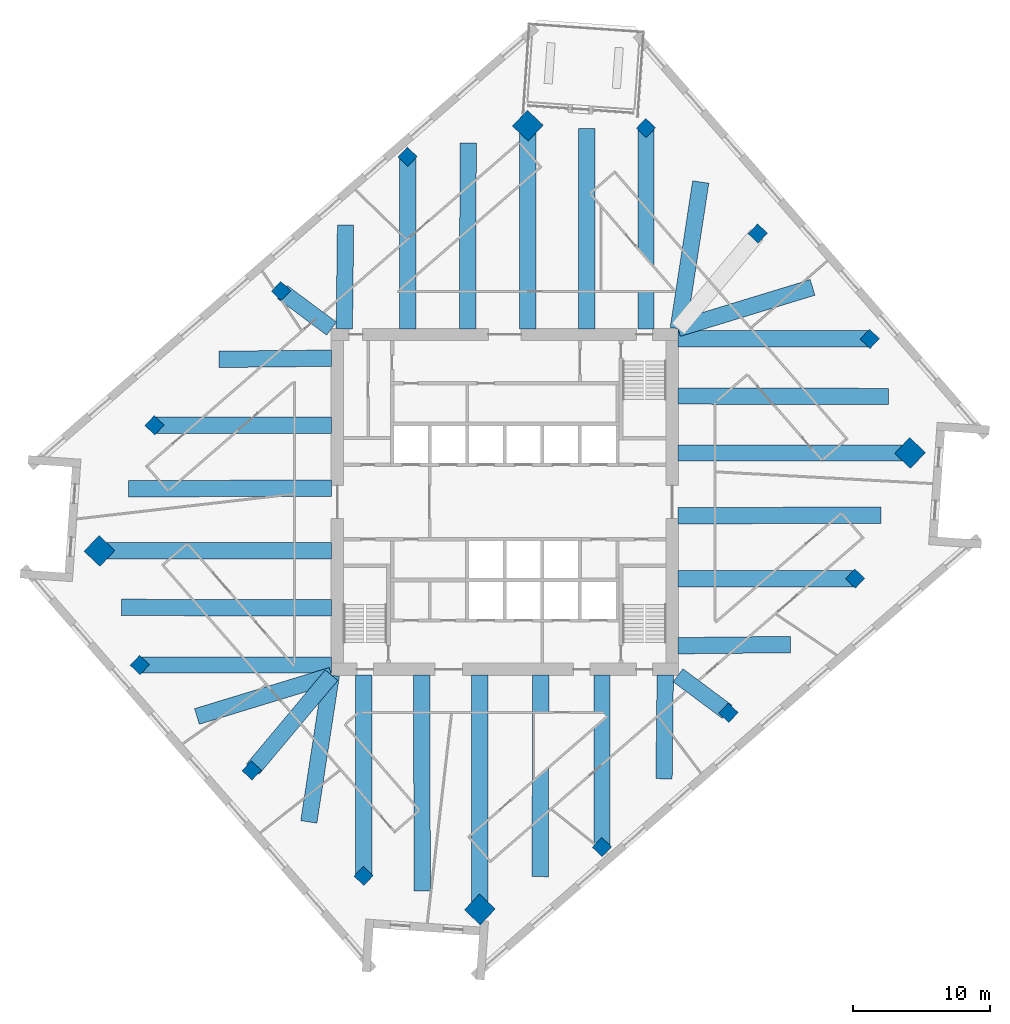
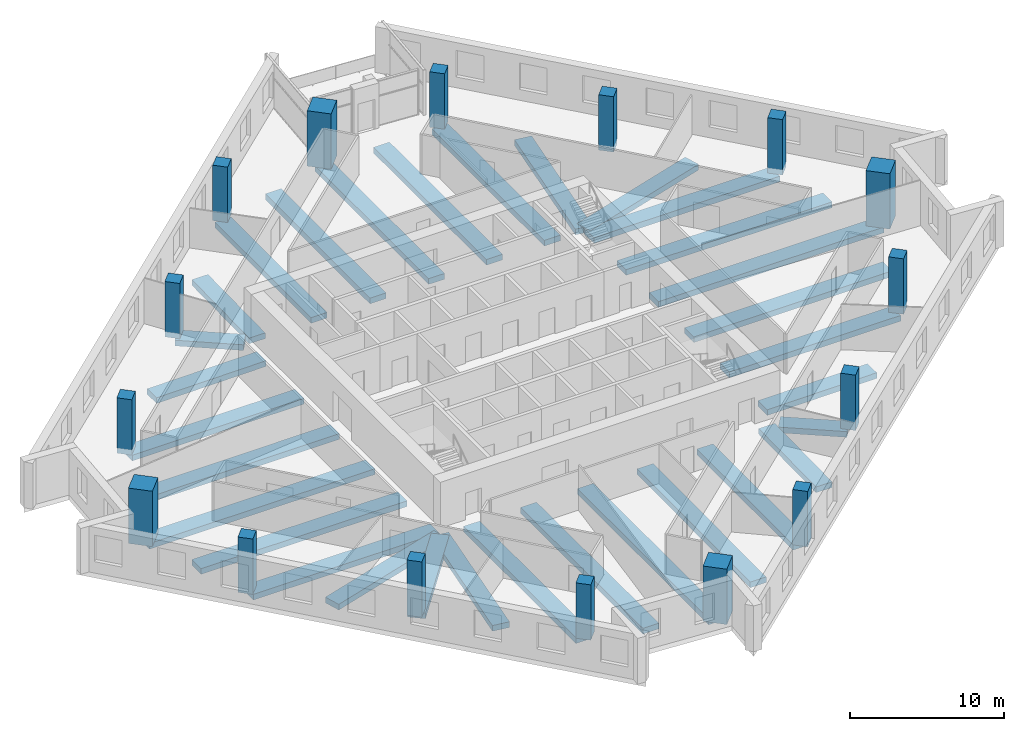
# One storey, part 1 of 11: 31 beams, 16 columns.
"""IFC4 building model written with IfcOpenShell, lengths in metres."""

from ifc_helpers import new_model, si_unit, direction, frame, origin, origin_2d, place, context, subcontext, project, spatial, rectangle, extrude, material, material_profile, profile_set, type_object, element, save


model = new_model("IFC4")

# Units and contexts
model_context = context("Model", 3, precision=1e-05, world=origin(), true_north=direction((0.0, 1.0)))
body_context = subcontext(model_context, "Body", "Model", "MODEL_VIEW")
ifc_project = project(units=[si_unit("LENGTHUNIT", "METRE"), si_unit("AREAUNIT", "SQUARE_METRE"), si_unit("VOLUMEUNIT", "CUBIC_METRE"), si_unit("PLANEANGLEUNIT", "RADIAN"), si_unit("MASSUNIT", "GRAM", prefix="KILO")], contexts=[model_context])

# Site, building, storey
site_placement = place(None, origin())
site = spatial("IfcSite", under=ifc_project, at=site_placement, CompositionType="ELEMENT")
building_placement = place(site_placement, origin())
building = spatial("IfcBuilding", under=site, at=building_placement, Name="Dilmun Exchange Tower", CompositionType="ELEMENT")
storey_placement = place(building_placement, frame((0.0, 0.0, 189.300048828125)))
storey = spatial("IfcBuildingStorey", under=building, at=storey_placement, Name="L44", CompositionType="ELEMENT", Elevation=189.300048828125)

# Columns
ifc_material_1 = material(Name="Concrete C60/75", Category="concrete")
ifc_material_profile_1 = material_profile(ifc_material_1, rectangle(XDim=1.60009765625, YDim=1.60009765625, at=origin_2d()), Name="1600 x 1600")
ifc_profile_set_1 = profile_set([ifc_material_profile_1], Name="Concrete C60/75")
column_type_1 = type_object("IfcColumnType", Name="RC mega column 1600 x 1600 C60/75", PredefinedType="COLUMN", material=ifc_profile_set_1)
for number, where, z_axis, x_axis, name in (
    (1, (1.68505859375, 27.5380859375, -0.380126953125), (0.0, 0.0, 1.0), (0.685916152371, 0.727680583715, 0.0), "Mega column M1"),
    (2, (-29.658935546875, -3.58203125, -0.380126953125), (0.0, 0.0, 1.0), (0.685916152371, 0.727680583715, 0.0), "Mega column M2"),
    (3, (-1.824951171875, -29.818115234375, -0.380126953125), (0.0, 0.0, 1.0), (0.685916152371, 0.727680583715, 0.0), "Mega column M3"),
    (4, (29.658935546875, 3.58203125, -0.380126953125), (0.0, 0.0, 1.0), (0.685916152371, 0.727680583715, 0.0), "Mega column M4"),
):
    element("IfcColumn", number, at=place(storey_placement, frame(where, z_axis=z_axis, x_axis=x_axis)), inside=storey, type_object=column_type_1, Name=name, PredefinedType="COLUMN", context=body_context, shape_type="SweptSolid", body=[
        extrude(rectangle(XDim=1.60009765625, YDim=1.60009765625, at=origin_2d()), origin(), (0.0, 0.0, 1.0), 4.380126953125),
    ])
ifc_material_profile_2 = material_profile(ifc_material_1, rectangle(XDim=1.0, YDim=1.0, at=origin_2d()), Name="1000 x 1000")
ifc_profile_set_2 = profile_set([ifc_material_profile_2], Name="Concrete C60/75")
column_type_2 = type_object("IfcColumnType", Name="RC ring column 1000 x 1000 C60/75", PredefinedType="COLUMN", material=ifc_profile_set_2)
for number, where, z_axis, x_axis, name in (
    (5, (-7.113037109375, 25.257080078125, -0.380126953125), (0.0, 0.0, 1.0), (0.685916152371, 0.727680583715, 0.0), "Ring column R01"),
    (6, (-16.373046875, 15.43310546875, -0.380126953125), (0.0, 0.0, 1.0), (0.685916152371, 0.727680583715, 0.0), "Ring column R02"),
    (7, (-25.633056640625, 5.60888671875, -0.380126953125), (0.0, 0.0, 1.0), (0.685916152371, 0.727680583715, 0.0), "Ring column R03"),
    (8, (-26.7060546875, -11.930908203125, -0.380126953125), (0.0, 0.0, 1.0), (0.685916152371, 0.727680583715, 0.0), "Ring column R04"),
    (9, (-18.52001953125, -19.64697265625, -0.380126953125), (0.0, 0.0, 1.0), (0.685916152371, 0.727680583715, 0.0), "Ring column R05"),
    (10, (-10.3330078125, -27.364013671875, -0.380126953125), (0.0, 0.0, 1.0), (0.685916152371, 0.727680583715, 0.0), "Ring column R06"),
    (11, (7.113037109375, -25.257080078125, -0.380126953125), (0.0, 0.0, 1.0), (0.685916152371, 0.727680583715, 0.0), "Ring column R07"),
    (12, (16.373046875, -15.43310546875, -0.380126953125), (0.0, 0.0, 1.0), (0.685916152371, 0.727680583715, 0.0), "Ring column R08"),
    (13, (25.633056640625, -5.60888671875, -0.380126953125), (0.0, 0.0, 1.0), (0.685916152371, 0.727680583715, 0.0), "Ring column R09"),
    (14, (26.7060546875, 11.930908203125, -0.380126953125), (0.0, 0.0, 1.0), (0.685916152371, 0.727680583715, 0.0), "Ring column R10"),
    (15, (18.52001953125, 19.64697265625, -0.380126953125), (0.0, 0.0, 1.0), (0.685916152371, 0.727680583715, 0.0), "Ring column R11"),
    (16, (10.3330078125, 27.364013671875, -0.380126953125), (0.0, 0.0, 1.0), (0.685916152371, 0.727680583715, 0.0), "Ring column R12"),
):
    element("IfcColumn", number, at=place(storey_placement, frame(where, z_axis=z_axis, x_axis=x_axis)), inside=storey, type_object=column_type_2, Name=name, PredefinedType="COLUMN", context=body_context, shape_type="SweptSolid", body=[
        extrude(rectangle(XDim=1.0, YDim=1.0, at=origin_2d()), origin(), (0.0, 0.0, 1.0), 4.380126953125),
    ])

# Beams
ifc_material_2 = material(Name="Concrete C40/50", Category="concrete")
ifc_material_profile_3 = material_profile(ifc_material_2, rectangle(XDim=1.199951171875, YDim=0.449951171875, at=origin_2d()), Name="1200 x 450")
ifc_profile_set_3 = profile_set([ifc_material_profile_3], Name="Concrete C40/50")
beam_type = type_object("IfcBeamType", Name="RC band beam 1200 x 450 C40/50", PredefinedType="BEAM", material=ifc_profile_set_3)
beam_1_placement = place(storey_placement, frame((1.68505859375, 27.41357421875, -0.705078125), z_axis=(0.0, -1.0, 0.0), x_axis=(1.0, 0.0, 0.0)))
element("IfcBeam", 17, at=beam_1_placement, inside=storey, type_object=beam_type, Name="Band beam 1", PredefinedType="BEAM", context=body_context, shape_type="SweptSolid", body=[
    extrude(rectangle(XDim=1.199951171875, YDim=0.449951171875, at=origin_2d()), origin(), (0.0, 0.0, 1.0), 14.740478515625),
])
beam_2_placement = place(storey_placement, frame((-7.113037109375, 25.132568359375, -0.705078125), z_axis=(0.0, -1.0, 0.0), x_axis=(1.0, 0.0, 0.0)))
element("IfcBeam", 18, at=beam_2_placement, inside=storey, type_object=beam_type, Name="Band beam 2", PredefinedType="BEAM", context=body_context, shape_type="SweptSolid", body=[
    extrude(rectangle(XDim=1.199951171875, YDim=0.449951171875, at=origin_2d()), origin(), (0.0, 0.0, 1.0), 12.45947265625),
])
beam_3_placement = place(storey_placement, frame((-16.273193359375, 15.358642578125, -0.705078125), z_axis=(0.802289049066, -0.5969357434, 0.0), x_axis=(0.5969357434, 0.802289049066, 0.0)))
element("IfcBeam", 19, at=beam_3_placement, inside=storey, type_object=beam_type, Name="Band beam 3", PredefinedType="BEAM", context=body_context, shape_type="SweptSolid", body=[
    extrude(rectangle(XDim=1.199951171875, YDim=0.449951171875, at=origin_2d()), origin(), (0.0, 0.0, 1.0), 4.48095703125),
])
beam_4_placement = place(storey_placement, frame((-25.508544921875, 5.60888671875, -0.705078125), z_axis=(1.0, 0.0, 0.0), x_axis=(0.0, 1.0, 0.0)))
element("IfcBeam", 20, at=beam_4_placement, inside=storey, type_object=beam_type, Name="Band beam 4", PredefinedType="BEAM", context=body_context, shape_type="SweptSolid", body=[
    extrude(rectangle(XDim=1.199951171875, YDim=0.449951171875, at=origin_2d()), origin(), (0.0, 0.0, 1.0), 12.83544921875),
])
beam_5_placement = place(storey_placement, frame((-29.534423828125, -3.58203125, -0.705078125), z_axis=(1.0, 0.0, 0.0), x_axis=(0.0, 1.0, 0.0)))
element("IfcBeam", 21, at=beam_5_placement, inside=storey, type_object=beam_type, Name="Band beam 5", PredefinedType="BEAM", context=body_context, shape_type="SweptSolid", body=[
    extrude(rectangle(XDim=1.199951171875, YDim=0.449951171875, at=origin_2d()), origin(), (0.0, 0.0, 1.0), 16.861328125),
])
beam_6_placement = place(storey_placement, frame((-26.58154296875, -11.930908203125, -0.705078125), z_axis=(1.0, 0.0, 0.0), x_axis=(0.0, 1.0, 0.0)))
element("IfcBeam", 22, at=beam_6_placement, inside=storey, type_object=beam_type, Name="Band beam 6", PredefinedType="BEAM", context=body_context, shape_type="SweptSolid", body=[
    extrude(rectangle(XDim=1.199951171875, YDim=0.449951171875, at=origin_2d()), origin(), (0.0, 0.0, 1.0), 13.908447265625),
])
beam_7_placement = place(storey_placement, frame((-18.43994140625, -19.551513671875, -0.705078125), z_axis=(0.642183104626, 0.766551276911, 0.0), x_axis=(-0.766551276911, 0.642183104626, 0.0)))
element("IfcBeam", 23, at=beam_7_placement, inside=storey, type_object=beam_type, Name="Band beam 7", PredefinedType="BEAM", context=body_context, shape_type="SweptSolid", body=[
    extrude(rectangle(XDim=1.199951171875, YDim=0.449951171875, at=origin_2d()), origin(), (0.0, 0.0, 1.0), 8.96533203125),
])
beam_8_placement = place(storey_placement, frame((-10.3330078125, -27.239501953125, -0.705078125), z_axis=(0.0, 1.0, 0.0), x_axis=(-1.0, 0.0, 0.0)))
element("IfcBeam", 24, at=beam_8_placement, inside=storey, type_object=beam_type, Name="Band beam 8", PredefinedType="BEAM", context=body_context, shape_type="SweptSolid", body=[
    extrude(rectangle(XDim=1.199951171875, YDim=0.449951171875, at=origin_2d()), origin(), (0.0, 0.0, 1.0), 14.56640625),
])
beam_9_placement = place(storey_placement, frame((-1.824951171875, -29.693603515625, -0.705078125), z_axis=(0.0, 1.0, 0.0), x_axis=(-1.0, 0.0, 0.0)))
element("IfcBeam", 25, at=beam_9_placement, inside=storey, type_object=beam_type, Name="Band beam 9", PredefinedType="BEAM", context=body_context, shape_type="SweptSolid", body=[
    extrude(rectangle(XDim=1.199951171875, YDim=0.449951171875, at=origin_2d()), origin(), (0.0, 0.0, 1.0), 17.0205078125),
])
beam_10_placement = place(storey_placement, frame((7.113037109375, -25.132568359375, -0.705078125), z_axis=(0.0, 1.0, 0.0), x_axis=(-1.0, 0.0, 0.0)))
element("IfcBeam", 26, at=beam_10_placement, inside=storey, type_object=beam_type, Name="Band beam 10", PredefinedType="BEAM", context=body_context, shape_type="SweptSolid", body=[
    extrude(rectangle(XDim=1.199951171875, YDim=0.449951171875, at=origin_2d()), origin(), (0.0, 0.0, 1.0), 12.45947265625),
])
beam_11_placement = place(storey_placement, frame((16.273193359375, -15.358642578125, -0.705078125), z_axis=(-0.802289049066, 0.5969357434, 0.0), x_axis=(-0.5969357434, -0.802289049066, 0.0)))
element("IfcBeam", 27, at=beam_11_placement, inside=storey, type_object=beam_type, Name="Band beam 11", PredefinedType="BEAM", context=body_context, shape_type="SweptSolid", body=[
    extrude(rectangle(XDim=1.199951171875, YDim=0.449951171875, at=origin_2d()), origin(), (0.0, 0.0, 1.0), 4.48095703125),
])
beam_12_placement = place(storey_placement, frame((25.508544921875, -5.60888671875, -0.705078125), z_axis=(-1.0, 0.0, 0.0), x_axis=(0.0, -1.0, 0.0)))
element("IfcBeam", 28, at=beam_12_placement, inside=storey, type_object=beam_type, Name="Band beam 12", PredefinedType="BEAM", context=body_context, shape_type="SweptSolid", body=[
    extrude(rectangle(XDim=1.199951171875, YDim=0.449951171875, at=origin_2d()), origin(), (0.0, 0.0, 1.0), 12.83544921875),
])
beam_13_placement = place(storey_placement, frame((29.534423828125, 3.58203125, -0.705078125), z_axis=(-1.0, 0.0, 0.0), x_axis=(0.0, -1.0, 0.0)))
element("IfcBeam", 29, at=beam_13_placement, inside=storey, type_object=beam_type, Name="Band beam 13", PredefinedType="BEAM", context=body_context, shape_type="SweptSolid", body=[
    extrude(rectangle(XDim=1.199951171875, YDim=0.449951171875, at=origin_2d()), origin(), (0.0, 0.0, 1.0), 16.861328125),
])
beam_14_placement = place(storey_placement, frame((26.58154296875, 11.930908203125, -0.705078125), z_axis=(-1.0, 0.0, 0.0), x_axis=(0.0, -1.0, 0.0)))
element("IfcBeam", 30, at=beam_14_placement, inside=storey, type_object=beam_type, Name="Band beam 14", PredefinedType="BEAM", context=body_context, shape_type="SweptSolid", body=[
    extrude(rectangle(XDim=1.199951171875, YDim=0.449951171875, at=origin_2d()), origin(), (0.0, 0.0, 1.0), 13.908447265625),
])
beam_15_placement = place(storey_placement, frame((10.3330078125, 27.239501953125, -0.705078125), z_axis=(0.0, -1.0, 0.0), x_axis=(1.0, 0.0, 0.0)))
element("IfcBeam", 31, at=beam_15_placement, inside=storey, type_object=beam_type, Name="Band beam 16", PredefinedType="BEAM", context=body_context, shape_type="SweptSolid", body=[
    extrude(rectangle(XDim=1.199951171875, YDim=0.449951171875, at=origin_2d()), origin(), (0.0, 0.0, 1.0), 14.56640625),
])
beam_16_placement = place(storey_placement, frame((-2.682861328125, 26.277099609375, -0.705078125), z_axis=(-0.002297111774, -0.999997361635, 0.0), x_axis=(0.999997361635, -0.002297111774, 0.0)))
element("IfcBeam", 32, at=beam_16_placement, inside=storey, type_object=beam_type, Name="Band beam 17", PredefinedType="BEAM", context=body_context, shape_type="SweptSolid", body=[
    extrude(rectangle(XDim=1.199951171875, YDim=0.449951171875, at=origin_2d()), origin(), (0.0, 0.0, 1.0), 13.60400390625),
])
beam_17_placement = place(storey_placement, frame((-11.65234375, 20.259521484375, -0.705078125), z_axis=(-0.011938390958, -0.999928734871, 0.0), x_axis=(0.999928734871, -0.011938390958, 0.0)))
element("IfcBeam", 33, at=beam_17_placement, inside=storey, type_object=beam_type, Name="Band beam 18", PredefinedType="BEAM", context=body_context, shape_type="SweptSolid", body=[
    extrude(rectangle(XDim=1.199951171875, YDim=0.449951171875, at=origin_2d()), origin(), (0.0, 0.0, 1.0), 7.5869140625),
])
beam_18_placement = place(storey_placement, frame((-20.912353515625, 10.435546875, -0.705078125), z_axis=(0.999946225673, 0.010370427255, 0.0), x_axis=(-0.010370427255, 0.999946225673, 0.0)))
element("IfcBeam", 34, at=beam_18_placement, inside=storey, type_object=beam_type, Name="Band beam 19", PredefinedType="BEAM", context=body_context, shape_type="SweptSolid", body=[
    extrude(rectangle(XDim=1.199951171875, YDim=0.449951171875, at=origin_2d()), origin(), (0.0, 0.0, 1.0), 8.23974609375),
])
beam_19_placement = place(storey_placement, frame((-27.531982421875, 0.96337890625, -0.705078125), z_axis=(0.999994327407, 0.003368256665, 0.0), x_axis=(-0.003368256665, 0.999994327407, 0.0)))
element("IfcBeam", 35, at=beam_19_placement, inside=storey, type_object=beam_type, Name="Band beam 20", PredefinedType="BEAM", context=body_context, shape_type="SweptSolid", body=[
    extrude(rectangle(XDim=1.199951171875, YDim=0.449951171875, at=origin_2d()), origin(), (0.0, 0.0, 1.0), 14.85888671875),
])
beam_20_placement = place(storey_placement, frame((-28.065185546875, -7.715087890625, -0.705078125), z_axis=(0.999996364615, -0.002696434064, 0.0), x_axis=(0.002696434064, 0.999996364615, 0.0)))
element("IfcBeam", 36, at=beam_20_placement, inside=storey, type_object=beam_type, Name="Band beam 21", PredefinedType="BEAM", context=body_context, shape_type="SweptSolid", body=[
    extrude(rectangle(XDim=1.199951171875, YDim=0.449951171875, at=origin_2d()), origin(), (0.0, 0.0, 1.0), 15.39208984375),
])
beam_21_placement = place(storey_placement, frame((-22.527587890625, -15.698486328125, -0.705078125), z_axis=(0.956463539482, 0.291851841937, 0.0), x_axis=(-0.291851841937, 0.956463539482, 0.0)))
element("IfcBeam", 37, at=beam_21_placement, inside=storey, type_object=beam_type, Name="Band beam 22", PredefinedType="BEAM", context=body_context, shape_type="SweptSolid", body=[
    extrude(rectangle(XDim=1.199951171875, YDim=0.449951171875, at=origin_2d()), origin(), (0.0, 0.0, 1.0), 10.3017578125),
])
beam_22_placement = place(storey_placement, frame((-14.341064453125, -23.414794921875, -0.705078125), z_axis=(0.151403795578, 0.988471997926, 0.0), x_axis=(-0.988471997926, 0.151403795578, 0.0)))
element("IfcBeam", 38, at=beam_22_placement, inside=storey, type_object=beam_type, Name="Band beam 23", PredefinedType="BEAM", context=body_context, shape_type="SweptSolid", body=[
    extrude(rectangle(XDim=1.199951171875, YDim=0.449951171875, at=origin_2d()), origin(), (0.0, 0.0, 1.0), 10.86669921875),
])
beam_23_placement = place(storey_placement, frame((-6.04443359375, -28.471435546875, -0.705078125), z_axis=(-0.002194400527, 0.9999975923, 0.0), x_axis=(-0.9999975923, -0.002194400527, 0.0)))
element("IfcBeam", 39, at=beam_23_placement, inside=storey, type_object=beam_type, Name="Band beam 24", PredefinedType="BEAM", context=body_context, shape_type="SweptSolid", body=[
    extrude(rectangle(XDim=1.199951171875, YDim=0.449951171875, at=origin_2d()), origin(), (0.0, 0.0, 1.0), 15.79833984375),
])
beam_24_placement = place(storey_placement, frame((2.58740234375, -27.426513671875, -0.705078125), z_axis=(0.003839124446, 0.999992630535, 0.0), x_axis=(-0.999992630535, 0.003839124446, 0.0)))
element("IfcBeam", 40, at=beam_24_placement, inside=storey, type_object=beam_type, Name="Band beam 25", PredefinedType="BEAM", context=body_context, shape_type="SweptSolid", body=[
    extrude(rectangle(XDim=1.199951171875, YDim=0.449951171875, at=origin_2d()), origin(), (0.0, 0.0, 1.0), 14.75341796875),
])
beam_25_placement = place(storey_placement, frame((11.65234375, -20.259521484375, -0.705078125), z_axis=(0.011938390958, 0.999928734871, 0.0), x_axis=(-0.999928734871, 0.011938390958, 0.0)))
element("IfcBeam", 41, at=beam_25_placement, inside=storey, type_object=beam_type, Name="Band beam 26", PredefinedType="BEAM", context=body_context, shape_type="SweptSolid", body=[
    extrude(rectangle(XDim=1.199951171875, YDim=0.449951171875, at=origin_2d()), origin(), (0.0, 0.0, 1.0), 7.5869140625),
])
beam_26_placement = place(storey_placement, frame((20.912353515625, -10.435546875, -0.705078125), z_axis=(-0.999946225673, -0.010370427255, 0.0), x_axis=(0.010370427255, -0.999946225673, 0.0)))
element("IfcBeam", 42, at=beam_26_placement, inside=storey, type_object=beam_type, Name="Band beam 27", PredefinedType="BEAM", context=body_context, shape_type="SweptSolid", body=[
    extrude(rectangle(XDim=1.199951171875, YDim=0.449951171875, at=origin_2d()), origin(), (0.0, 0.0, 1.0), 8.23974609375),
])
beam_27_placement = place(storey_placement, frame((27.531982421875, -0.96337890625, -0.705078125), z_axis=(-0.999994327407, -0.003368256665, 0.0), x_axis=(0.003368256665, -0.999994327407, 0.0)))
element("IfcBeam", 43, at=beam_27_placement, inside=storey, type_object=beam_type, Name="Band beam 28", PredefinedType="BEAM", context=body_context, shape_type="SweptSolid", body=[
    extrude(rectangle(XDim=1.199951171875, YDim=0.449951171875, at=origin_2d()), origin(), (0.0, 0.0, 1.0), 14.85888671875),
])
beam_28_placement = place(storey_placement, frame((28.065185546875, 7.715087890625, -0.705078125), z_axis=(-0.999996364615, 0.002696434064, 0.0), x_axis=(-0.002696434064, -0.999996364615, 0.0)))
element("IfcBeam", 44, at=beam_28_placement, inside=storey, type_object=beam_type, Name="Band beam 29", PredefinedType="BEAM", context=body_context, shape_type="SweptSolid", body=[
    extrude(rectangle(XDim=1.199951171875, YDim=0.449951171875, at=origin_2d()), origin(), (0.0, 0.0, 1.0), 15.39208984375),
])
beam_29_placement = place(storey_placement, frame((22.527587890625, 15.698486328125, -0.705078125), z_axis=(-0.956463539482, -0.291851841937, 0.0), x_axis=(0.291851841937, -0.956463539482, 0.0)))
element("IfcBeam", 45, at=beam_29_placement, inside=storey, type_object=beam_type, Name="Band beam 30", PredefinedType="BEAM", context=body_context, shape_type="SweptSolid", body=[
    extrude(rectangle(XDim=1.199951171875, YDim=0.449951171875, at=origin_2d()), origin(), (0.0, 0.0, 1.0), 10.3017578125),
])
beam_30_placement = place(storey_placement, frame((14.341064453125, 23.414794921875, -0.705078125), z_axis=(-0.151403795578, -0.988471997926, 0.0), x_axis=(0.988471997926, -0.151403795578, 0.0)))
element("IfcBeam", 46, at=beam_30_placement, inside=storey, type_object=beam_type, Name="Band beam 31", PredefinedType="BEAM", context=body_context, shape_type="SweptSolid", body=[
    extrude(rectangle(XDim=1.199951171875, YDim=0.449951171875, at=origin_2d()), origin(), (0.0, 0.0, 1.0), 10.86669921875),
])
beam_31_placement = place(storey_placement, frame((6.006591796875, 27.326416015625, -0.705078125), z_axis=(0.000166611127, -0.99999998612, 0.0), x_axis=(0.99999998612, 0.000166611127, 0.0)))
element("IfcBeam", 47, at=beam_31_placement, inside=storey, type_object=beam_type, Name="Band beam 32", PredefinedType="BEAM", context=body_context, shape_type="SweptSolid", body=[
    extrude(rectangle(XDim=1.199951171875, YDim=0.449951171875, at=origin_2d()), origin(), (0.0, 0.0, 1.0), 14.6533203125),
])

save(model, "model.ifc")
